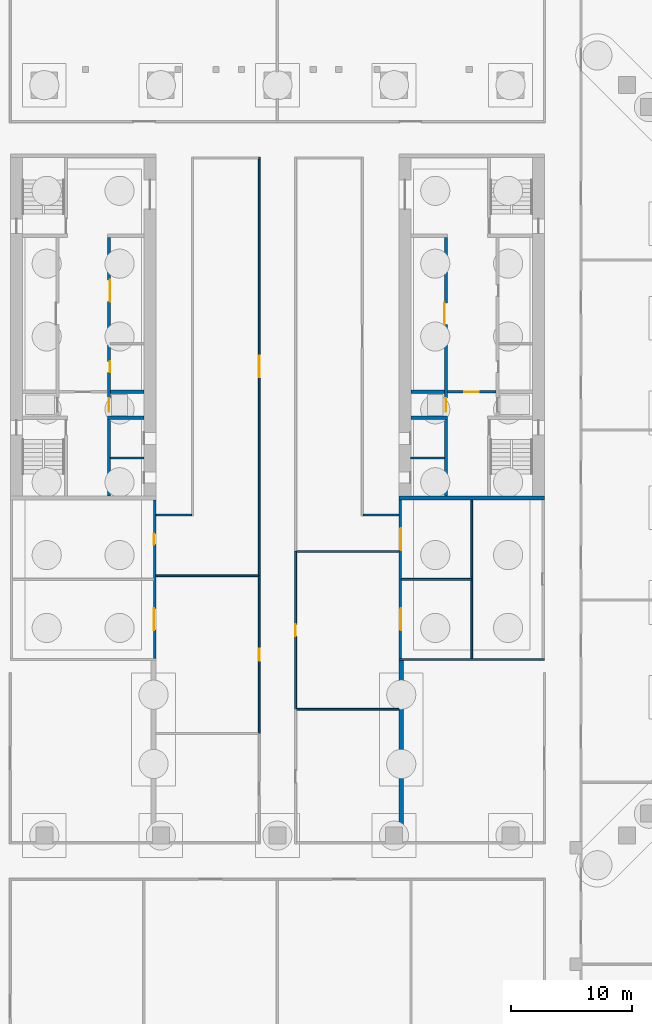
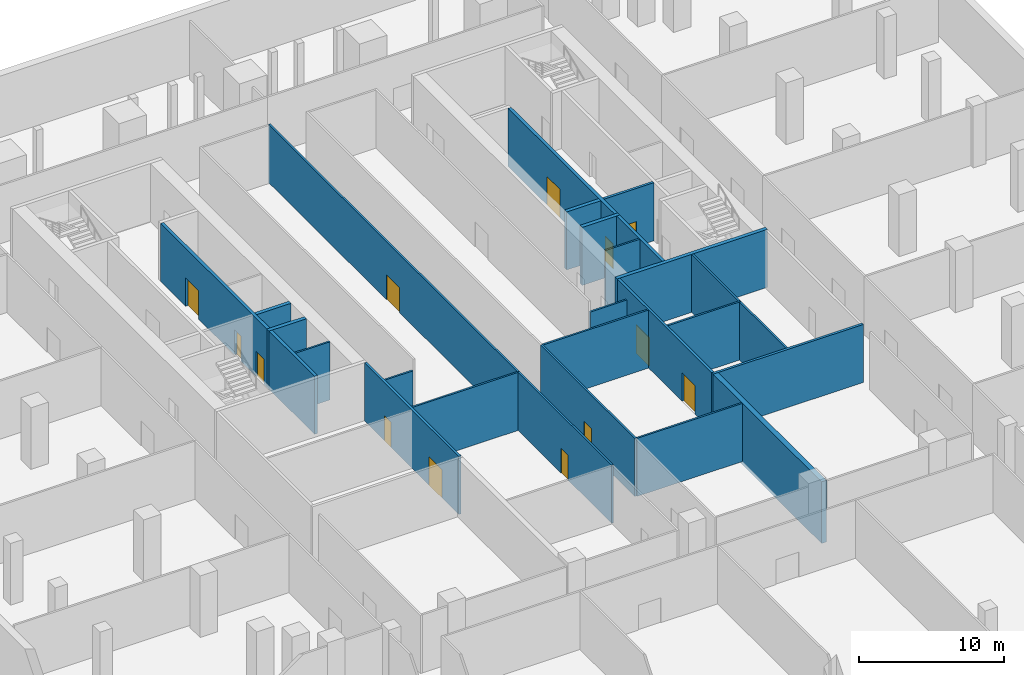
# One storey, part 6 of 14: 24 walls, 13 doors, 13 openings.
"""IFC4 building model written with IfcOpenShell, lengths in metres."""

from ifc_helpers import new_model, si_unit, direction, frame, frame_2d, origin, place, context, subcontext, project, spatial, rectangle, extrude, material, layer, layer_set, type_object, element, fill, save


model = new_model("IFC4")

# Units and contexts
model_context = context("Model", 3, precision=1e-05, world=origin(), true_north=direction((0.0, 1.0)))
body_context = subcontext(model_context, "Body", "Model", "MODEL_VIEW")
ifc_project = project(units=[si_unit("LENGTHUNIT", "METRE"), si_unit("AREAUNIT", "SQUARE_METRE"), si_unit("VOLUMEUNIT", "CUBIC_METRE"), si_unit("PLANEANGLEUNIT", "RADIAN"), si_unit("MASSUNIT", "GRAM", prefix="KILO")], contexts=[model_context])

# Site, building, storey
site_placement = place(None, origin())
site = spatial("IfcSite", under=ifc_project, at=site_placement, CompositionType="ELEMENT")
building_placement = place(site_placement, origin())
building = spatial("IfcBuilding", under=site, at=building_placement, Name="Ogive Exchange Tower", CompositionType="ELEMENT")
storey_placement = place(building_placement, frame((0.0, 0.0, -10.39990234375)))
storey = spatial("IfcBuildingStorey", under=building, at=storey_placement, Name="B2", CompositionType="ELEMENT", Elevation=-10.39990234375)

# Walls
ifc_material_1 = material(Name="Concrete C70/85", Category="concrete")
ifc_layer_1 = layer(ifc_material_1, 0.39990234375)
ifc_layer_set_1 = layer_set([ifc_layer_1], Name="Concrete C70/85 spine wall 400")
wall_type_1 = type_object("IfcWallType", Name="Concrete C70/85 spine wall 400", PredefinedType="SHEAR", material=ifc_layer_set_1)
wall_1_placement = place(storey_placement, frame((10.199951171875, -31.0, -0.300048828125), z_axis=(0.0, 0.0, 1.0), x_axis=(0.0, 1.0, 0.0)))
element("IfcWall", 1, at=wall_1_placement, inside=storey, type_object=wall_type_1, Name="Spine wall SE", PredefinedType="SHEAR", context=body_context, shape_type="SweptSolid", body=[
    extrude(rectangle(XDim=15.0, YDim=0.39990234375, at=frame_2d((7.5, 0.0))), origin(), (0.0, 0.0, 1.0), 5.199951171875),
])
ifc_material_2 = material(Name="Gypsum board partition")
ifc_layer_2 = layer(ifc_material_2, 0.14990234375)
ifc_layer_set_2 = layer_set([ifc_layer_2], Name="Core room partition 150 gypsum")
wall_type_2 = type_object("IfcWallType", Name="Core room partition 150 gypsum", PredefinedType="PARTITIONING", material=ifc_layer_set_2)
for number, where, z_axis, x_axis, name in (
    (2, (-13.75, 0.699951171875, 0.0), (0.0, 0.0, 1.0), (1.0, 0.0, 0.0), "W south room partition"),
    (3, (11.0, 0.699951171875, 0.0), (0.0, 0.0, 1.0), (1.0, 0.0, 0.0), "E south room partition"),
):
    element("IfcWall", number, at=place(storey_placement, frame(where, z_axis=z_axis, x_axis=x_axis)), inside=storey, type_object=wall_type_2, Name=name, PredefinedType="PARTITIONING", context=body_context, shape_type="SweptSolid", body=[
        extrude(rectangle(XDim=2.75, YDim=0.14990234375, at=frame_2d((1.375, 0.0))), origin(), (0.0, 0.0, 1.0), 4.89990234375),
    ])
wall_2_placement = place(storey_placement, frame((16.0, -15.800048828125, 0.0), z_axis=(0.0, 0.0, 1.0), x_axis=(0.0, 1.0, 0.0)))
element("IfcWall", 4, at=wall_2_placement, inside=storey, type_object=wall_type_2, Name="E annex S column wall", PredefinedType="PARTITIONING", context=body_context, shape_type="SweptSolid", body=[
    extrude(rectangle(XDim=13.050048828125, YDim=0.14990234375, at=frame_2d((6.52490234375, 0.0))), origin(), (0.0, 0.0, 1.0), 4.89990234375),
])
wall_3_placement = place(storey_placement, frame((10.199951171875, -9.300048828125, 0.0), z_axis=(0.0, 0.0, 1.0), x_axis=(1.0, 0.0, 0.0)))
element("IfcWall", 5, at=wall_3_placement, inside=storey, type_object=wall_type_2, Name="E annex S cross wall", PredefinedType="PARTITIONING", context=body_context, shape_type="SweptSolid", body=[
    extrude(rectangle(XDim=5.800048828125, YDim=0.14990234375, at=frame_2d((2.89990234375, 0.0))), origin(), (0.0, 0.0, 1.0), 4.89990234375),
])
ifc_material_3 = material(Name="Fire partition EI 60 150")
ifc_layer_3 = layer(ifc_material_3, 0.14990234375)
ifc_layer_set_3 = layer_set([ifc_layer_3], Name="Fire partition EI 60 150")
wall_type_3 = type_object("IfcWallType", Name="Fire partition EI 60 150", PredefinedType="PARTITIONING", material=ifc_layer_set_3)
for number, where, z_axis, x_axis, name in (
    (6, (1.574951171875, -20.0, 0.0), (0.0, 0.0, 1.0), (1.0, 0.0, 0.0), "B2-PWL-020"),
    (7, (-10.0, -9.0, 0.0), (0.0, 0.0, 1.0), (1.0, 0.0, 0.0), "B2-PWL-024"),
    (8, (1.574951171875, -7.0, 0.0), (0.0, 0.0, 1.0), (1.0, 0.0, 0.0), "B2-PWL-025"),
):
    element("IfcWall", number, at=place(storey_placement, frame(where, z_axis=z_axis, x_axis=x_axis)), inside=storey, type_object=wall_type_3, Name=name, PredefinedType="PARTITIONING", context=body_context, shape_type="SweptSolid", body=[
        extrude(rectangle(XDim=8.425048828125, YDim=0.14990234375, at=frame_2d((4.21240234375, 0.0))), origin(), (0.0, 0.0, 1.0), 4.89990234375),
    ])
for number, where, z_axis, x_axis, name in (
    (9, (-10.0, -4.0, 0.0), (0.0, 0.0, 1.0), (1.0, 0.0, 0.0), "B2-PWL-027"),
    (10, (7.074951171875, -4.0, 0.0), (0.0, 0.0, 1.0), (1.0, 0.0, 0.0), "B2-PWL-028"),
):
    element("IfcWall", number, at=place(storey_placement, frame(where, z_axis=z_axis, x_axis=x_axis)), inside=storey, type_object=wall_type_3, Name=name, PredefinedType="PARTITIONING", context=body_context, shape_type="SweptSolid", body=[
        extrude(rectangle(XDim=2.925048828125, YDim=0.14990234375, at=frame_2d((1.46240234375, 0.0))), origin(), (0.0, 0.0, 1.0), 3.929931640625),
    ])

# Wall, opening, door
wall_4_placement = place(storey_placement, frame((-1.5, -22.0, 0.0), z_axis=(0.0, 0.0, 1.0), x_axis=(0.0, 1.0, 0.0)))
wall_4 = element("IfcWall", 11, at=wall_4_placement, inside=storey, type_object=wall_type_3, Name="B2-PWL-053", PredefinedType="PARTITIONING", context=body_context, shape_type="SweptSolid", body=[
    extrude(rectangle(XDim=13.0, YDim=0.14990234375, at=frame_2d((6.5, 0.0))), origin(), (0.0, 0.0, 1.0), 4.89990234375),
])
opening_1_placement = place(wall_4_placement, frame((6.0, 0.0, 0.0)))
opening_1 = element("IfcOpeningElement", 12, at=opening_1_placement, cuts=wall_4, Name="Opening B2-I21", PredefinedType="OPENING", context=body_context, shape_type="SweptSolid", body=[
    extrude(rectangle(XDim=1.0, YDim=2.10009765625, at=frame_2d((0.5, 1.050048828125))), frame((0.0, 0.0849609375, 0.0), z_axis=(0.0, -1.0, 0.0), x_axis=(1.0, 0.0, 0.0)), (0.0, 0.0, 1.0), 0.169921875),
])
ifc_material_4 = material(Name="Fire door FD 30S 1000 x 2100")
door_type_1 = type_object("IfcDoorType", Name="Fire door FD 30S 1000 x 2100", OperationType="NOTDEFINED", PredefinedType="DOOR", material=ifc_material_4)
door_1_placement = place(opening_1_placement, origin())
door_1 = element("IfcDoor", 13, at=door_1_placement, inside=storey, type_object=door_type_1, Name="B2-IDR-021", ObjectType="DT3", OperationType="SINGLE_SWING_LEFT", OverallHeight=2.10009765625, OverallWidth=1.0, PredefinedType="DOOR", context=body_context, shape_type="SweptSolid", body=[
    extrude(rectangle(XDim=1.0, YDim=2.10009765625, at=frame_2d((0.5, 1.050048828125))), frame((0.0, 0.02490234375, 0.0), z_axis=(0.0, -1.0, 0.0), x_axis=(1.0, 0.0, 0.0)), (0.0, 0.0, 1.0), 0.050048828125),
])
fill(opening_1, door_1)

wall_5_placement = place(storey_placement, frame((-1.5, -9.0, 0.0), z_axis=(0.0, 0.0, 1.0), x_axis=(0.0, 1.0, 0.0)))
wall_5 = element("IfcWall", 14, at=wall_5_placement, inside=storey, type_object=wall_type_3, Name="B2-PWL-054", PredefinedType="PARTITIONING", context=body_context, shape_type="SweptSolid", body=[
    extrude(rectangle(XDim=34.47509765625, YDim=0.14990234375, at=frame_2d((17.237548828125, 0.0))), origin(), (0.0, 0.0, 1.0), 4.89990234375),
])
opening_2_placement = place(wall_5_placement, frame((16.33740234375, 0.0, 0.0)))
opening_2 = element("IfcOpeningElement", 15, at=opening_2_placement, cuts=wall_5, Name="Opening B2-I22", PredefinedType="OPENING", context=body_context, shape_type="SweptSolid", body=[
    extrude(rectangle(XDim=1.800048828125, YDim=2.10009765625, at=frame_2d((0.89990234375, 1.050048828125))), frame((0.0, 0.0849609375, 0.0), z_axis=(0.0, -1.0, 0.0), x_axis=(1.0, 0.0, 0.0)), (0.0, 0.0, 1.0), 0.169921875),
])
ifc_material_5 = material(Name="Fire door FD 30S 1800 x 2100")
door_type_2 = type_object("IfcDoorType", Name="Fire door FD 30S 1800 x 2100", OperationType="DOUBLE_DOOR_SINGLE_SWING", PredefinedType="DOOR", material=ifc_material_5)
door_2_placement = place(opening_2_placement, origin())
door_2 = element("IfcDoor", 16, at=door_2_placement, inside=storey, type_object=door_type_2, Name="B2-IDR-022", ObjectType="DT4", OperationType="SINGLE_SWING_LEFT", OverallHeight=2.10009765625, OverallWidth=1.800048828125, PredefinedType="DOOR", context=body_context, shape_type="SweptSolid", body=[
    extrude(rectangle(XDim=1.800048828125, YDim=2.10009765625, at=frame_2d((0.89990234375, 1.050048828125))), frame((0.0, 0.02490234375, 0.0), z_axis=(0.0, -1.0, 0.0), x_axis=(1.0, 0.0, 0.0)), (0.0, 0.0, 1.0), 0.050048828125),
])
fill(opening_2, door_2)

wall_6_placement = place(storey_placement, frame((1.5, -20.0, 0.0), z_axis=(0.0, 0.0, 1.0), x_axis=(0.0, 1.0, 0.0)))
wall_6 = element("IfcWall", 17, at=wall_6_placement, inside=storey, type_object=wall_type_3, Name="B2-PWL-060", PredefinedType="PARTITIONING", context=body_context, shape_type="SweptSolid", body=[
    extrude(rectangle(XDim=13.0, YDim=0.14990234375, at=frame_2d((6.5, 0.0))), origin(), (0.0, 0.0, 1.0), 4.89990234375),
])
opening_3_placement = place(wall_6_placement, frame((6.0, 0.0, 0.0)))
opening_3 = element("IfcOpeningElement", 18, at=opening_3_placement, cuts=wall_6, Name="Opening B2-I24", PredefinedType="OPENING", context=body_context, shape_type="SweptSolid", body=[
    extrude(rectangle(XDim=1.0, YDim=2.10009765625, at=frame_2d((0.5, 1.050048828125))), frame((0.0, 0.0849609375, 0.0), z_axis=(0.0, -1.0, 0.0), x_axis=(1.0, 0.0, 0.0)), (0.0, 0.0, 1.0), 0.169921875),
])
door_3_placement = place(opening_3_placement, frame((1.0, 0.0, 0.0), z_axis=(0.0, 0.0, 1.0), x_axis=(-1.0, 0.0, 0.0)))
door_3 = element("IfcDoor", 19, at=door_3_placement, inside=storey, type_object=door_type_1, Name="B2-IDR-024", ObjectType="DT3", OperationType="SINGLE_SWING_LEFT", OverallHeight=2.10009765625, OverallWidth=1.0, PredefinedType="DOOR", context=body_context, shape_type="SweptSolid", body=[
    extrude(rectangle(XDim=1.0, YDim=2.10009765625, at=frame_2d((0.5, 1.050048828125))), frame((0.0, 0.02490234375, 0.0), z_axis=(0.0, -1.0, 0.0), x_axis=(1.0, 0.0, 0.0)), (0.0, 0.0, 1.0), 0.050048828125),
])
fill(opening_3, door_3)

# Wall, openings, doors
ifc_layer_4 = layer(ifc_material_1, 0.199951171875)
ifc_layer_set_4 = layer_set([ifc_layer_4], Name="RC core wall 200 C70/85")
wall_type_4 = type_object("IfcWallType", Name="RC core wall 200 C70/85", PredefinedType="SHEAR", material=ifc_layer_set_4)
wall_7_placement = place(storey_placement, frame((-10.10009765625, -15.800048828125, 0.0), z_axis=(0.0, 0.0, 1.0), x_axis=(0.0, 1.0, 0.0)))
wall_7 = element("IfcWall", 20, at=wall_7_placement, inside=storey, type_object=wall_type_4, Name="W annex S inner wall", PredefinedType="SHEAR", context=body_context, shape_type="SweptSolid", body=[
    extrude(rectangle(XDim=13.050048828125, YDim=0.199951171875, at=frame_2d((6.52490234375, 0.0))), origin(), (0.0, 0.0, 1.0), 4.89990234375),
])
opening_4_placement = place(wall_7_placement, frame((2.3125, 0.0, 0.0)))
opening_4 = element("IfcOpeningElement", 21, at=opening_4_placement, cuts=wall_7, Name="Opening B2-C14", PredefinedType="OPENING", context=body_context, shape_type="SweptSolid", body=[
    extrude(rectangle(XDim=1.800048828125, YDim=2.39990234375, at=frame_2d((0.89990234375, 1.199951171875))), frame((0.0, 0.10986328125, 0.0), z_axis=(0.0, -1.0, 0.0), x_axis=(1.0, 0.0, 0.0)), (0.0, 0.0, 1.0), 0.219970703125),
])
opening_5_placement = place(wall_7_placement, frame((9.362548828125, 0.0, 0.0)))
opening_5 = element("IfcOpeningElement", 22, at=opening_5_placement, cuts=wall_7, Name="Opening B2-C15", PredefinedType="OPENING", context=body_context, shape_type="SweptSolid", body=[
    extrude(rectangle(XDim=0.89990234375, YDim=2.10009765625, at=frame_2d((0.449951171875, 1.050048828125))), frame((0.0, 0.10986328125, 0.0), z_axis=(0.0, -1.0, 0.0), x_axis=(1.0, 0.0, 0.0)), (0.0, 0.0, 1.0), 0.219970703125),
])
ifc_material_6 = material(Name="Steel fire door", Category="steel")
door_type_3 = type_object("IfcDoorType", Name="Plant room door FD60 1800 x 2400", OperationType="DOUBLE_DOOR_SINGLE_SWING", PredefinedType="DOOR", material=ifc_material_6)
door_4_placement = place(opening_4_placement, origin())
door_4 = element("IfcDoor", 23, at=door_4_placement, inside=storey, type_object=door_type_3, Name="Plant room door", ObjectType="CD1", OperationType="DOUBLE_DOOR_SINGLE_SWING", OverallHeight=2.39990234375, OverallWidth=1.800048828125, PredefinedType="DOOR", context=body_context, shape_type="SweptSolid", body=[
    extrude(rectangle(XDim=1.800048828125, YDim=2.39990234375, at=frame_2d((0.89990234375, 1.199951171875))), frame((0.0, 0.10009765625, 0.0), z_axis=(0.0, -1.0, 0.0), x_axis=(1.0, 0.0, 0.0)), (0.0, 0.0, 1.0), 0.050048828125),
])
fill(opening_4, door_4)
door_type_4 = type_object("IfcDoorType", Name="Riser door FD60 900 x 2100", OperationType="NOTDEFINED", PredefinedType="DOOR", material=ifc_material_6)
door_5_placement = place(opening_5_placement, origin())
door_5 = element("IfcDoor", 24, at=door_5_placement, inside=storey, type_object=door_type_4, Name="Riser door", ObjectType="CD2", OperationType="SINGLE_SWING_LEFT", OverallHeight=2.10009765625, OverallWidth=0.89990234375, PredefinedType="DOOR", context=body_context, shape_type="SweptSolid", body=[
    extrude(rectangle(XDim=0.89990234375, YDim=2.10009765625, at=frame_2d((0.449951171875, 1.050048828125))), frame((0.0, 0.10009765625, 0.0), z_axis=(0.0, -1.0, 0.0), x_axis=(1.0, 0.0, 0.0)), (0.0, 0.0, 1.0), 0.050048828125),
])
fill(opening_5, door_5)

# Wall, opening, door
wall_8_placement = place(storey_placement, frame((14.0, 6.142822265625, 0.0), z_axis=(0.0, 0.0, 1.0), x_axis=(1.0, 0.0, 0.0)))
wall_8 = element("IfcWall", 25, at=wall_8_placement, inside=storey, type_object=wall_type_4, Name="E firefighting lobby wall", PredefinedType="SHEAR", context=body_context, shape_type="SweptSolid", body=[
    extrude(rectangle(XDim=4.0, YDim=0.199951171875, at=frame_2d((2.0, 0.0))), origin(), (0.0, 0.0, 1.0), 4.89990234375),
])
opening_6_placement = place(wall_8_placement, frame((1.39990234375, 0.0, 0.0)))
opening_6 = element("IfcOpeningElement", 26, at=opening_6_placement, cuts=wall_8, Name="Opening B2-C21", PredefinedType="OPENING", context=body_context, shape_type="SweptSolid", body=[
    extrude(rectangle(XDim=1.199951171875, YDim=2.10009765625, at=frame_2d((0.60009765625, 1.050048828125))), frame((0.0, 0.10986328125, 0.0), z_axis=(0.0, -1.0, 0.0), x_axis=(1.0, 0.0, 0.0)), (0.0, 0.0, 1.0), 0.219970703125),
])
door_type_5 = type_object("IfcDoorType", Name="Firefighting lobby door FD60 1200 x 2100", OperationType="NOTDEFINED", PredefinedType="DOOR", material=ifc_material_6)
door_6_placement = place(opening_6_placement, frame((1.199951171875, 0.0, 0.0), z_axis=(0.0, 0.0, 1.0), x_axis=(-1.0, 0.0, 0.0)))
door_6 = element("IfcDoor", 27, at=door_6_placement, inside=storey, type_object=door_type_5, Name="Firefighting lobby door", ObjectType="CD3", OperationType="SINGLE_SWING_RIGHT", OverallHeight=2.10009765625, OverallWidth=1.199951171875, PredefinedType="DOOR", context=body_context, shape_type="SweptSolid", body=[
    extrude(rectangle(XDim=1.199951171875, YDim=2.10009765625, at=frame_2d((0.60009765625, 1.050048828125))), frame((0.0, 0.02490234375, 0.0), z_axis=(0.0, -1.0, 0.0), x_axis=(1.0, 0.0, 0.0)), (0.0, 0.0, 1.0), 0.050048828125),
])
fill(opening_6, door_6)

# Wall, openings, doors
wall_9_placement = place(storey_placement, frame((10.10009765625, -15.800048828125, 0.0), z_axis=(0.0, 0.0, 1.0), x_axis=(0.0, 1.0, 0.0)))
wall_9 = element("IfcWall", 28, at=wall_9_placement, inside=storey, type_object=wall_type_4, Name="E annex S inner wall", PredefinedType="SHEAR", context=body_context, shape_type="SweptSolid", body=[
    extrude(rectangle(XDim=13.050048828125, YDim=0.199951171875, at=frame_2d((6.52490234375, 0.0))), origin(), (0.0, 0.0, 1.0), 4.89990234375),
])
opening_7_placement = place(wall_9_placement, frame((2.3125, 0.0, 0.0)))
opening_7 = element("IfcOpeningElement", 29, at=opening_7_placement, cuts=wall_9, Name="Opening B2-C30", PredefinedType="OPENING", context=body_context, shape_type="SweptSolid", body=[
    extrude(rectangle(XDim=1.800048828125, YDim=2.39990234375, at=frame_2d((0.89990234375, 1.199951171875))), frame((0.0, 0.10986328125, 0.0), z_axis=(0.0, -1.0, 0.0), x_axis=(1.0, 0.0, 0.0)), (0.0, 0.0, 1.0), 0.219970703125),
])
opening_8_placement = place(wall_9_placement, frame((8.91259765625, 0.0, 0.0)))
opening_8 = element("IfcOpeningElement", 30, at=opening_8_placement, cuts=wall_9, Name="Opening B2-C31", PredefinedType="OPENING", context=body_context, shape_type="SweptSolid", body=[
    extrude(rectangle(XDim=1.800048828125, YDim=2.39990234375, at=frame_2d((0.89990234375, 1.199951171875))), frame((0.0, 0.10986328125, 0.0), z_axis=(0.0, -1.0, 0.0), x_axis=(1.0, 0.0, 0.0)), (0.0, 0.0, 1.0), 0.219970703125),
])
door_7_placement = place(opening_7_placement, frame((1.800048828125, -0.14990234375, 0.0), z_axis=(0.0, 0.0, 1.0), x_axis=(-1.0, 0.0, 0.0)))
door_7 = element("IfcDoor", 31, at=door_7_placement, inside=storey, type_object=door_type_3, Name="Plant room door", ObjectType="CD1", OperationType="DOUBLE_DOOR_SINGLE_SWING", OverallHeight=2.39990234375, OverallWidth=1.800048828125, PredefinedType="DOOR", context=body_context, shape_type="SweptSolid", body=[
    extrude(rectangle(XDim=1.800048828125, YDim=2.39990234375, at=frame_2d((0.89990234375, 1.199951171875))), frame((0.0, -0.0498046875, 0.0), z_axis=(0.0, -1.0, 0.0), x_axis=(1.0, 0.0, 0.0)), (0.0, 0.0, 1.0), 0.050048828125),
])
fill(opening_7, door_7)
door_8_placement = place(opening_8_placement, frame((1.800048828125, -0.14990234375, 0.0), z_axis=(0.0, 0.0, 1.0), x_axis=(-1.0, 0.0, 0.0)))
door_8 = element("IfcDoor", 32, at=door_8_placement, inside=storey, type_object=door_type_3, Name="Plant room door", ObjectType="CD1", OperationType="DOUBLE_DOOR_SINGLE_SWING", OverallHeight=2.39990234375, OverallWidth=1.800048828125, PredefinedType="DOOR", context=body_context, shape_type="SweptSolid", body=[
    extrude(rectangle(XDim=1.800048828125, YDim=2.39990234375, at=frame_2d((0.89990234375, 1.199951171875))), frame((0.0, -0.0498046875, 0.0), z_axis=(0.0, -1.0, 0.0), x_axis=(1.0, 0.0, 0.0)), (0.0, 0.0, 1.0), 0.050048828125),
])
fill(opening_8, door_8)

# Wall
wall_10_placement = place(storey_placement, frame((10.0, -15.89990234375, 0.0), z_axis=(0.0, 0.0, 1.0), x_axis=(1.0, 0.0, 0.0)))
element("IfcWall", 33, at=wall_10_placement, inside=storey, type_object=wall_type_4, Name="E annex S end wall", PredefinedType="SHEAR", context=body_context, shape_type="SweptSolid", body=[
    extrude(rectangle(XDim=12.0, YDim=0.199951171875, at=frame_2d((6.0, 0.0))), origin(), (0.0, 0.0, 1.0), 4.89990234375),
])

# Wall, openings, doors
ifc_layer_5 = layer(ifc_material_1, 0.25)
ifc_layer_set_5 = layer_set([ifc_layer_5], Name="RC core wall 250 C70/85")
wall_type_5 = type_object("IfcWallType", Name="RC core wall 250 C70/85", PredefinedType="SHEAR", material=ifc_layer_set_5)
wall_11_placement = place(storey_placement, frame((-13.875, -2.449951171875, 0.0), z_axis=(0.0, 0.0, 1.0), x_axis=(0.0, 1.0, 0.0)))
wall_11 = element("IfcWall", 34, at=wall_11_placement, inside=storey, type_object=wall_type_5, Name="W row B front wall", PredefinedType="SHEAR", context=body_context, shape_type="SweptSolid", body=[
    extrude(rectangle(XDim=21.300048828125, YDim=0.25, at=frame_2d((10.64990234375, 0.0))), origin(), (0.0, 0.0, 1.0), 4.89990234375),
])
opening_9_placement = place(wall_11_placement, frame((10.1962890625, 0.0, 0.0)))
opening_9 = element("IfcOpeningElement", 35, at=opening_9_placement, cuts=wall_11, Name="Opening B2-C03", PredefinedType="OPENING", context=body_context, shape_type="SweptSolid", body=[
    extrude(rectangle(XDim=0.89990234375, YDim=2.10009765625, at=frame_2d((0.449951171875, 1.050048828125))), frame((0.0, 0.135009765625, 0.0), z_axis=(0.0, -1.0, 0.0), x_axis=(1.0, 0.0, 0.0)), (0.0, 0.0, 1.0), 0.27001953125),
])
opening_10_placement = place(wall_11_placement, frame((16.02490234375, 0.0, 0.0)))
opening_10 = element("IfcOpeningElement", 36, at=opening_10_placement, cuts=wall_11, Name="Opening B2-C04", PredefinedType="OPENING", context=body_context, shape_type="SweptSolid", body=[
    extrude(rectangle(XDim=1.800048828125, YDim=2.39990234375, at=frame_2d((0.89990234375, 1.199951171875))), frame((0.0, 0.135009765625, 0.0), z_axis=(0.0, -1.0, 0.0), x_axis=(1.0, 0.0, 0.0)), (0.0, 0.0, 1.0), 0.27001953125),
])
opening_11_placement = place(wall_11_placement, frame((6.971435546875, 0.0, 0.0)))
opening_11 = element("IfcOpeningElement", 37, at=opening_11_placement, cuts=wall_11, Name="Opening B2-C05", PredefinedType="OPENING", context=body_context, shape_type="SweptSolid", body=[
    extrude(rectangle(XDim=1.10009765625, YDim=2.10009765625, at=frame_2d((0.550048828125, 1.050048828125))), frame((0.0, 0.135009765625, 0.0), z_axis=(0.0, -1.0, 0.0), x_axis=(1.0, 0.0, 0.0)), (0.0, 0.0, 1.0), 0.27001953125),
])
ifc_material_7 = material(Name="Stainless steel", Category="steel")
door_type_6 = type_object("IfcDoorType", Name="Lift landing door FD90 1100 x 2100", OperationType="SLIDING_TO_LEFT", PredefinedType="DOOR", material=ifc_material_7)
door_9_placement = place(opening_11_placement, origin())
door_9 = element("IfcDoor", 38, at=door_9_placement, inside=storey, type_object=door_type_6, Name="Lift landing door SV1", ObjectType="LD", OperationType="SLIDING_TO_LEFT", OverallHeight=2.10009765625, OverallWidth=1.10009765625, PredefinedType="DOOR", context=body_context, shape_type="SweptSolid", body=[
    extrude(rectangle(XDim=1.10009765625, YDim=2.10009765625, at=frame_2d((0.550048828125, 1.050048828125))), frame((0.0, 0.02490234375, 0.0), z_axis=(0.0, -1.0, 0.0), x_axis=(1.0, 0.0, 0.0)), (0.0, 0.0, 1.0), 0.050048828125),
])
fill(opening_11, door_9)
door_10_placement = place(opening_10_placement, frame((1.800048828125, -0.2001953125, 0.0), z_axis=(0.0, 0.0, 1.0), x_axis=(-1.0, 0.0, 0.0)))
door_10 = element("IfcDoor", 39, at=door_10_placement, inside=storey, type_object=door_type_3, Name="Plant room door", ObjectType="CD1", OperationType="DOUBLE_DOOR_SINGLE_SWING", OverallHeight=2.39990234375, OverallWidth=1.800048828125, PredefinedType="DOOR", context=body_context, shape_type="SweptSolid", body=[
    extrude(rectangle(XDim=1.800048828125, YDim=2.39990234375, at=frame_2d((0.89990234375, 1.199951171875))), frame((0.0, -0.0751953125, 0.0), z_axis=(0.0, -1.0, 0.0), x_axis=(1.0, 0.0, 0.0)), (0.0, 0.0, 1.0), 0.050048828125),
])
fill(opening_10, door_10)
door_11_placement = place(opening_9_placement, frame((0.89990234375, -0.2001953125, 0.0), z_axis=(0.0, 0.0, 1.0), x_axis=(-1.0, 0.0, 0.0)))
door_11 = element("IfcDoor", 40, at=door_11_placement, inside=storey, type_object=door_type_4, Name="Riser door", ObjectType="CD2", OperationType="SINGLE_SWING_RIGHT", OverallHeight=2.10009765625, OverallWidth=0.89990234375, PredefinedType="DOOR", context=body_context, shape_type="SweptSolid", body=[
    extrude(rectangle(XDim=0.89990234375, YDim=2.10009765625, at=frame_2d((0.449951171875, 1.050048828125))), frame((0.0, -0.0751953125, 0.0), z_axis=(0.0, -1.0, 0.0), x_axis=(1.0, 0.0, 0.0)), (0.0, 0.0, 1.0), 0.050048828125),
])
fill(opening_9, door_11)

wall_12_placement = place(storey_placement, frame((13.875, -2.449951171875, 0.0), z_axis=(0.0, 0.0, 1.0), x_axis=(0.0, 1.0, 0.0)))
wall_12 = element("IfcWall", 41, at=wall_12_placement, inside=storey, type_object=wall_type_5, Name="E row B front wall", PredefinedType="SHEAR", context=body_context, shape_type="SweptSolid", body=[
    extrude(rectangle(XDim=21.300048828125, YDim=0.25, at=frame_2d((10.64990234375, 0.0))), origin(), (0.0, 0.0, 1.0), 4.89990234375),
])
opening_12_placement = place(wall_12_placement, frame((14.121337890625, 0.0, 0.0)))
opening_12 = element("IfcOpeningElement", 42, at=opening_12_placement, cuts=wall_12, Name="Opening B2-C19", PredefinedType="OPENING", context=body_context, shape_type="SweptSolid", body=[
    extrude(rectangle(XDim=1.800048828125, YDim=2.39990234375, at=frame_2d((0.89990234375, 1.199951171875))), frame((0.0, 0.135009765625, 0.0), z_axis=(0.0, -1.0, 0.0), x_axis=(1.0, 0.0, 0.0)), (0.0, 0.0, 1.0), 0.27001953125),
])
opening_13_placement = place(wall_12_placement, frame((6.971435546875, 0.0, 0.0)))
opening_13 = element("IfcOpeningElement", 43, at=opening_13_placement, cuts=wall_12, Name="Opening B2-C20", PredefinedType="OPENING", context=body_context, shape_type="SweptSolid", body=[
    extrude(rectangle(XDim=1.10009765625, YDim=2.10009765625, at=frame_2d((0.550048828125, 1.050048828125))), frame((0.0, 0.135009765625, 0.0), z_axis=(0.0, -1.0, 0.0), x_axis=(1.0, 0.0, 0.0)), (0.0, 0.0, 1.0), 0.27001953125),
])
door_12_placement = place(opening_13_placement, origin())
door_12 = element("IfcDoor", 44, at=door_12_placement, inside=storey, type_object=door_type_6, Name="Lift landing door SV2", ObjectType="LD", OperationType="SLIDING_TO_LEFT", OverallHeight=2.10009765625, OverallWidth=1.10009765625, PredefinedType="DOOR", context=body_context, shape_type="SweptSolid", body=[
    extrude(rectangle(XDim=1.10009765625, YDim=2.10009765625, at=frame_2d((0.550048828125, 1.050048828125))), frame((0.0, 0.02490234375, 0.0), z_axis=(0.0, -1.0, 0.0), x_axis=(1.0, 0.0, 0.0)), (0.0, 0.0, 1.0), 0.050048828125),
])
fill(opening_13, door_12)
door_13_placement = place(opening_12_placement, origin())
door_13 = element("IfcDoor", 45, at=door_13_placement, inside=storey, type_object=door_type_3, Name="Plant room door", ObjectType="CD1", OperationType="DOUBLE_DOOR_SINGLE_SWING", OverallHeight=2.39990234375, OverallWidth=1.800048828125, PredefinedType="DOOR", context=body_context, shape_type="SweptSolid", body=[
    extrude(rectangle(XDim=1.800048828125, YDim=2.39990234375, at=frame_2d((0.89990234375, 1.199951171875))), frame((0.0, 0.125, 0.0), z_axis=(0.0, -1.0, 0.0), x_axis=(1.0, 0.0, 0.0)), (0.0, 0.0, 1.0), 0.050048828125),
])
fill(opening_12, door_13)

# Walls
ifc_layer_6 = layer(ifc_material_1, 0.300048828125)
ifc_layer_set_6 = layer_set([ifc_layer_6], Name="RC core wall 300 C70/85")
wall_type_6 = type_object("IfcWallType", Name="RC core wall 300 C70/85", PredefinedType="SHEAR", material=ifc_layer_set_6)
wall_13_placement = place(storey_placement, frame((-14.0, 4.0, 0.0), z_axis=(0.0, 0.0, 1.0), x_axis=(1.0, 0.0, 0.0)))
element("IfcWall", 46, at=wall_13_placement, inside=storey, type_object=wall_type_6, Name="W row B divider 0", PredefinedType="SHEAR", context=body_context, shape_type="SweptSolid", body=[
    extrude(rectangle(XDim=3.0, YDim=0.300048828125, at=frame_2d((1.5, 0.0))), origin(), (0.0, 0.0, 1.0), 4.89990234375),
])
wall_14_placement = place(storey_placement, frame((-13.75, 6.142822265625, 0.0), z_axis=(0.0, 0.0, 1.0), x_axis=(1.0, 0.0, 0.0)))
element("IfcWall", 47, at=wall_14_placement, inside=storey, type_object=wall_type_6, Name="W row B divider 1", PredefinedType="SHEAR", context=body_context, shape_type="SweptSolid", body=[
    extrude(rectangle(XDim=2.75, YDim=0.300048828125, at=frame_2d((1.375, 0.0))), origin(), (0.0, 0.0, 1.0), 4.89990234375),
])
wall_15_placement = place(storey_placement, frame((10.0, -2.60009765625, 0.0), z_axis=(0.0, 0.0, 1.0), x_axis=(1.0, 0.0, 0.0)))
element("IfcWall", 48, at=wall_15_placement, inside=storey, type_object=wall_type_6, Name="E south end wall", PredefinedType="SHEAR", context=body_context, shape_type="SweptSolid", body=[
    extrude(rectangle(XDim=12.0, YDim=0.300048828125, at=frame_2d((6.0, 0.0))), origin(), (0.0, 0.0, 1.0), 4.89990234375),
])
wall_16_placement = place(storey_placement, frame((11.0, 4.0, 0.0), z_axis=(0.0, 0.0, 1.0), x_axis=(1.0, 0.0, 0.0)))
element("IfcWall", 49, at=wall_16_placement, inside=storey, type_object=wall_type_6, Name="E row B divider 0", PredefinedType="SHEAR", context=body_context, shape_type="SweptSolid", body=[
    extrude(rectangle(XDim=3.0, YDim=0.300048828125, at=frame_2d((1.5, 0.0))), origin(), (0.0, 0.0, 1.0), 4.89990234375),
])
wall_17_placement = place(storey_placement, frame((11.0, 6.142822265625, 0.0), z_axis=(0.0, 0.0, 1.0), x_axis=(1.0, 0.0, 0.0)))
element("IfcWall", 50, at=wall_17_placement, inside=storey, type_object=wall_type_6, Name="E row B divider 1", PredefinedType="SHEAR", context=body_context, shape_type="SweptSolid", body=[
    extrude(rectangle(XDim=2.75, YDim=0.300048828125, at=frame_2d((1.375, 0.0))), origin(), (0.0, 0.0, 1.0), 4.89990234375),
])

save(model, "model.ifc")
